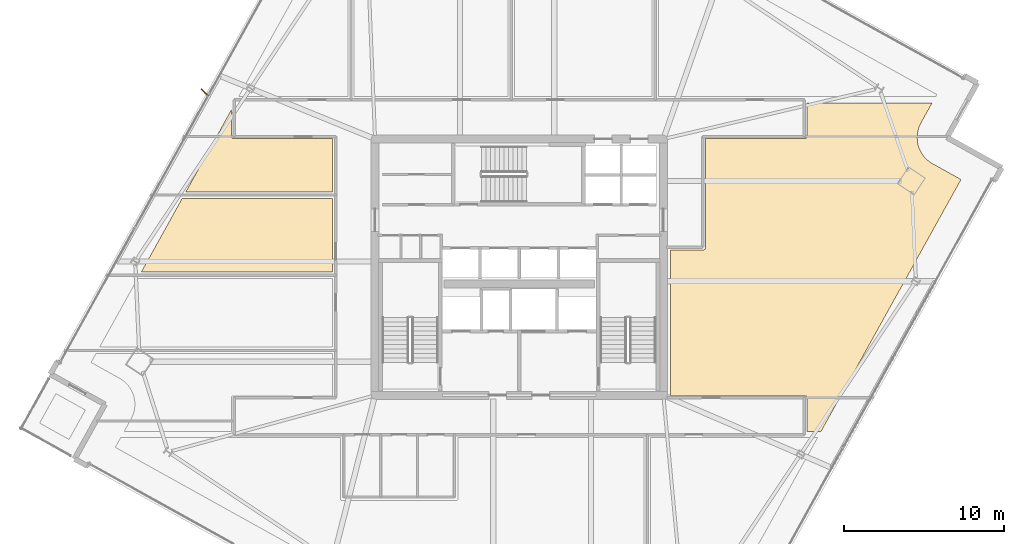
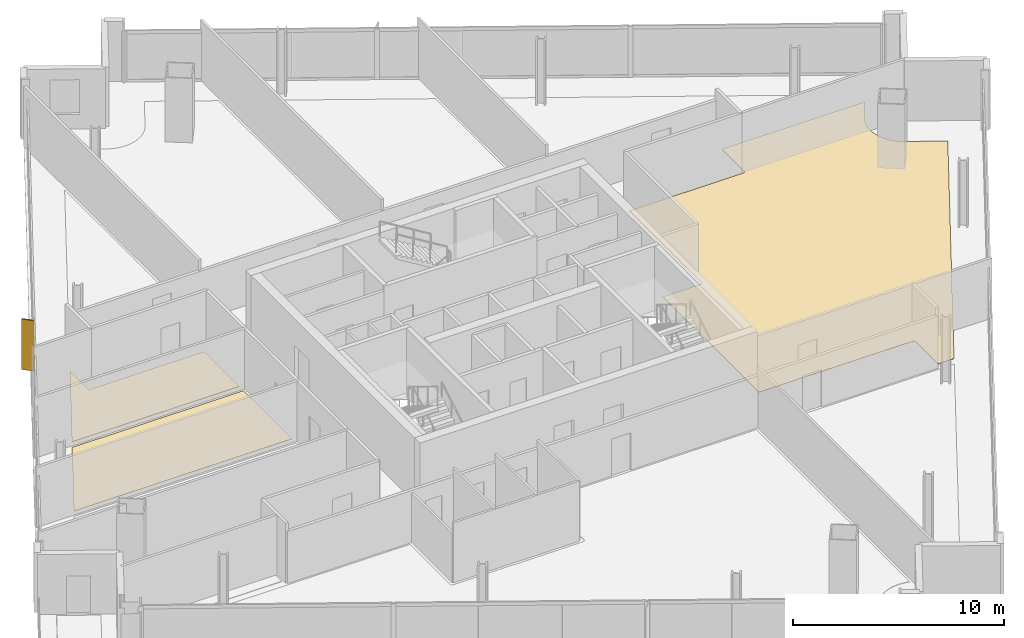
# One storey, part 26 of 28: 3 coverings, 1 shading device.
"""IFC4 building model written with IfcOpenShell, lengths in metres."""

from ifc_helpers import new_model, si_unit, direction, frame, origin, origin_2d, place, context, subcontext, project, spatial, polyline, rectangle, outline, extrude, source, transform, mapped, material, layer, layer_set, type_object, element, save


model = new_model("IFC4")

# Units and contexts
model_context = context("Model", 3, precision=1e-05, world=origin(), true_north=direction((0.0, 1.0)))
body_context = subcontext(model_context, "Body", "Model", "MODEL_VIEW")
ifc_project = project(units=[si_unit("LENGTHUNIT", "METRE"), si_unit("AREAUNIT", "SQUARE_METRE"), si_unit("VOLUMEUNIT", "CUBIC_METRE"), si_unit("PLANEANGLEUNIT", "RADIAN"), si_unit("MASSUNIT", "GRAM", prefix="KILO")], contexts=[model_context])

# Site, building, storey
site_placement = place(None, origin())
site = spatial("IfcSite", under=ifc_project, at=site_placement, CompositionType="ELEMENT")
building_placement = place(site_placement, origin())
building = spatial("IfcBuilding", under=site, at=building_placement, Name="Haldenkirk Collegiate Tower", CompositionType="ELEMENT")
storey_placement = place(building_placement, frame((0.0, 0.0, 232.199951171875)))
storey = spatial("IfcBuildingStorey", under=building, at=storey_placement, Name="L58", CompositionType="ELEMENT", Elevation=232.199951171875)

# Coverings
ifc_material_1 = material(Name="Polished collegiate terrazzo", Category="concrete")
ifc_layer_1 = layer(ifc_material_1, 0.02490234375)
ifc_layer_set_1 = layer_set([ifc_layer_1], Name="Polished collegiate terrazzo")
covering_type_1 = type_object("IfcCoveringType", Name="COV-FLOOR-TERRAZZO", PredefinedType="FLOORING", material=ifc_layer_set_1)
covering_1_placement = place(storey_placement, origin())
element("IfcCovering", 1, at=covering_1_placement, inside=storey, type_object=covering_type_1, Name="L58 academic room finish 10", PredefinedType="FLOORING", context=body_context, shape_type="SweptSolid", body=[
    extrude(outline(polyline([(18.030029296875, 35.824951171875), (18.030029296875, 34.14990234375), (18.030517578125, 34.13818359375), (18.0322265625, 34.126708984375), (18.03515625, 34.115234375), (18.0390625, 34.10400390625), (18.044189453125, 34.093505859375), (18.05029296875, 34.083251953125), (18.05712890625, 34.073974609375), (18.065185546875, 34.065185546875), (18.073974609375, 34.05712890625), (18.083251953125, 34.05029296875), (18.093505859375, 34.044189453125), (18.10400390625, 34.0390625), (18.115234375, 34.03515625), (18.126708984375, 34.0322265625), (18.13818359375, 34.030517578125), (18.14990234375, 34.030029296875), (24.35009765625, 34.030029296875), (24.35009765625, 30.699951171875), (15.183349609375, 30.699951171875), (18.030029296875, 35.824951171875)])), origin(), (0.0, 0.0, 1.0), 0.025146484375),
])
ifc_material_2 = material(Name="Engineered collegiate oak acoustic flooring", Category="wood")
ifc_layer_2 = layer(ifc_material_2, 0.02197265625)
ifc_layer_set_2 = layer_set([ifc_layer_2], Name="Engineered collegiate oak acoustic flooring")
covering_type_2 = type_object("IfcCoveringType", Name="COV-FLOOR-TIMBER", PredefinedType="FLOORING", material=ifc_layer_set_2)
covering_2_placement = place(storey_placement, origin())
element("IfcCovering", 2, at=covering_2_placement, inside=storey, type_object=covering_type_2, Name="L58 academic room finish 09", PredefinedType="FLOORING", context=body_context, shape_type="SweptSolid", body=[
    extrude(outline(polyline([(14.961181640625, 30.300048828125), (24.35009765625, 30.300048828125), (24.35009765625, 25.699951171875), (12.406005859375, 25.699951171875), (14.961181640625, 30.300048828125)])), origin(), (0.0, 0.0, 1.0), 0.02197265625),
])
covering_3_placement = place(storey_placement, origin())
element("IfcCovering", 3, at=covering_3_placement, inside=storey, type_object=covering_type_2, Name="L58 academic room finish 11", PredefinedType="FLOORING", context=body_context, shape_type="SweptSolid", body=[
    extrude(outline(polyline([(45.449951171875, 17.969970703125), (45.449951171875, 27.080078125), (47.5, 27.080078125), (47.51171875, 27.08056640625), (47.5234375, 27.082275390625), (47.534912109375, 27.085205078125), (47.5458984375, 27.089111328125), (47.556640625, 27.09423828125), (47.566650390625, 27.10009765625), (47.576171875, 27.107177734375), (47.5849609375, 27.114990234375), (47.5927734375, 27.123779296875), (47.599853515625, 27.13330078125), (47.605712890625, 27.143310546875), (47.61083984375, 27.154052734375), (47.61474609375, 27.165283203125), (47.61767578125, 27.176513671875), (47.619384765625, 27.188232421875), (47.6201171875, 27.199951171875), (47.6201171875, 34.030029296875), (53.85009765625, 34.030029296875), (53.86181640625, 34.030517578125), (53.873291015625, 34.0322265625), (53.884765625, 34.03515625), (53.89599609375, 34.0390625), (53.906494140625, 34.044189453125), (53.916748046875, 34.05029296875), (53.926025390625, 34.05712890625), (53.934814453125, 34.065185546875), (53.94287109375, 34.073974609375), (53.94970703125, 34.083251953125), (53.955810546875, 34.093505859375), (53.9609375, 34.10400390625), (53.96484375, 34.115234375), (53.9677734375, 34.126708984375), (53.969482421875, 34.13818359375), (53.969970703125, 34.14990234375), (53.969970703125, 36.25), (61.774658203125, 36.25), (61.082275390625, 35.00341796875), (61.07958984375, 34.998046875), (61.003662109375, 34.843994140625), (60.998779296875, 34.833251953125), (60.9384765625, 34.672607421875), (60.934814453125, 34.661376953125), (60.890380859375, 34.49560546875), (60.887939453125, 34.484130859375), (60.860107421875, 34.314697265625), (60.858642578125, 34.302734375), (60.847412109375, 34.13134765625), (60.847412109375, 34.11962890625), (60.85302734375, 33.947998046875), (60.85400390625, 33.936279296875), (60.876220703125, 33.76611328125), (60.87841796875, 33.75439453125), (60.91748046875, 33.587158203125), (60.9208984375, 33.575927734375), (60.97607421875, 33.413330078125), (60.980224609375, 33.40234375), (61.05126953125, 33.24609375), (61.056640625, 33.235595703125), (61.142578125, 33.0869140625), (61.14892578125, 33.076904296875), (61.2490234375, 32.937255859375), (61.25634765625, 32.927978515625), (61.36962890625, 32.798828125), (61.377685546875, 32.79052734375), (61.503173828125, 32.673095703125), (61.51220703125, 32.66552734375), (61.6484375, 32.56103515625), (61.657958984375, 32.55419921875), (61.803955078125, 32.463623046875), (61.80908203125, 32.460693359375), (63.58349609375, 31.47509765625), (54.84912109375, 15.75), (53.969970703125, 15.75), (53.969970703125, 17.85009765625), (53.969482421875, 17.86181640625), (53.9677734375, 17.873291015625), (53.96484375, 17.884765625), (53.9609375, 17.89599609375), (53.955810546875, 17.906494140625), (53.94970703125, 17.916748046875), (53.94287109375, 17.926025390625), (53.934814453125, 17.934814453125), (53.926025390625, 17.94287109375), (53.916748046875, 17.94970703125), (53.906494140625, 17.955810546875), (53.89599609375, 17.9609375), (53.884765625, 17.96484375), (53.873291015625, 17.9677734375), (53.86181640625, 17.969482421875), (53.85009765625, 17.969970703125), (45.449951171875, 17.969970703125)])), origin(), (0.0, 0.0, 1.0), 0.02197265625),
])

# Shading device
ifc_material_3 = material(Name="Anodised architectural bronze aluminium", Category="aluminium")
ifc_layer_3 = layer(ifc_material_3, 0.06494140625)
ifc_layer_set_3 = layer_set([ifc_layer_3], Name="Anodised architectural bronze aluminium")
shading_device_type = type_object("IfcShadingDeviceType", Name="SHD-FIN-BRONZE-620", PredefinedType="USERDEFINED", material=ifc_layer_set_3)
shared_shape = source(origin(), body_context, "Body", "SweptSolid", [
    extrude(rectangle(XDim=0.6201171875, YDim=0.06494140625, at=origin_2d()), origin(), (0.0, 0.0, 1.0), 2.927978515625),
])
shading_device_placement = place(storey_placement, frame((16.361083984375, 36.908447265625, 0.0), z_axis=(0.0, 0.0, 1.0), x_axis=(-0.706489444944, 0.707723578937, 0.0)))
element("IfcShadingDevice", 4, at=shading_device_placement, inside=storey, type_object=shading_device_type, Name="L58 folded bronze solar fin 1", ObjectType="FIN", PredefinedType="USERDEFINED", context=body_context, shape_type="MappedRepresentation", body=[
    mapped(shared_shape, transform((0.0, 0.0, 0.0), x_axis=(1.0, 0.0, 0.0), y_axis=(0.0, 1.0, 0.0), z_axis=(0.0, 0.0, 1.0), scale=1.0)),
])

save(model, "model.ifc")
